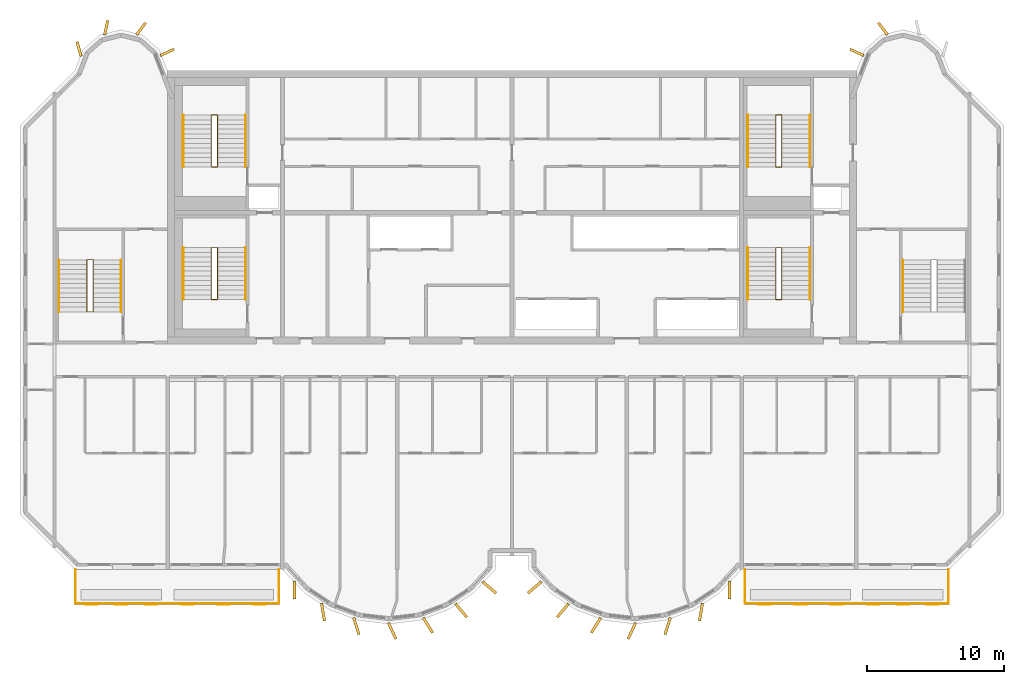
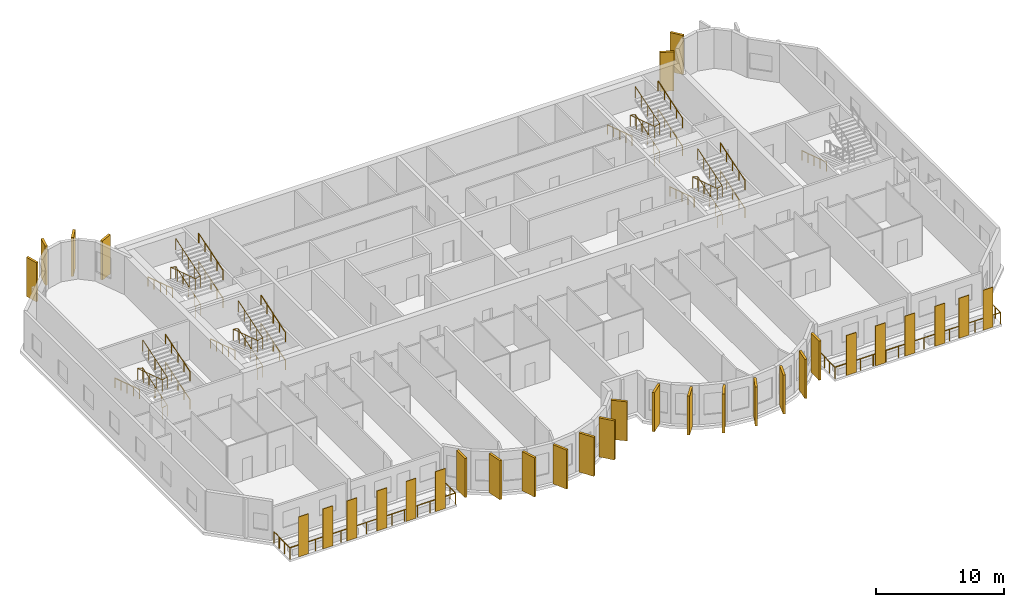
# One storey, part 10 of 12: 32 coverings, 23 railings.
"""IFC4 building model written with IfcOpenShell, lengths in metres."""

import ifcopenshell
import ifcopenshell.guid

model = None  # the IFC model being written
_history = None  # IfcOwnerHistory: only IFC2X3 demands one
_inside = {}  # id of a spatial element -> (the spatial element, [elements in it])
_under = {}  # id of a project, library or spatial element -> (it, [spatial elements below it])
_declared = {}  # id of a project -> (the project, [libraries it declares])
_typed = {}  # id of a type object -> (the type object, [elements of that type])
_made_of = {}  # id of a material, layer set ... -> (it, [elements and type objects made of it])


def new_model(schema):
    """Start an empty IFC model of exactly this schema.

    Asked for "IFC4X3", IfcOpenShell would pick the latest addendum, in which some entities
    have other attributes; the version numbers below select the first issue.
    IFC2X3 requires an IfcOwnerHistory on every rooted entity: one is made here for all.
    """
    global model, _history
    if schema == "IFC4X3":
        model = ifcopenshell.file(schema_version=(4, 3, 0, 0))
    else:
        model = ifcopenshell.file(schema=schema)
    _inside.clear()
    _under.clear()
    _declared.clear()
    _typed.clear()
    _made_of.clear()
    _history = None
    if model.schema == "IFC2X3":
        org = make("IfcOrganization", Name="unknown")
        user = make(
            "IfcPersonAndOrganization",
            ThePerson=make("IfcPerson", FamilyName="unknown"),
            TheOrganization=org,
        )
        app = make(
            "IfcApplication",
            ApplicationDeveloper=org,
            Version="unknown",
            ApplicationFullName="unknown",
            ApplicationIdentifier="unknown",
        )
        _history = make(
            "IfcOwnerHistory",
            OwningUser=user,
            OwningApplication=app,
            ChangeAction="ADDED",
            CreationDate=0,
        )
    return model


def make(cls, **values):
    """One entity of the class cls with the attributes given. An attribute that is None is left unset."""
    return model.create_entity(
        cls, **{name: value for name, value in values.items() if value is not None}
    )


def rooted(cls, **values):
    """An entity with a GlobalId (a new one), such as an element, a storey or a relation."""
    return make(cls, GlobalId=ifcopenshell.guid.new(), OwnerHistory=_history, **values)


def si_unit(unit_type, name, prefix=None):
    """IfcSIUnit, for example si_unit("LENGTHUNIT", "METRE", prefix="MILLI")."""
    return make("IfcSIUnit", UnitType=unit_type, Prefix=prefix, Name=name)


def assignment(units):
    """IfcUnitAssignment: the units of a project."""
    return None if units is None else make("IfcUnitAssignment", Units=units)


def point(xyz):
    """IfcCartesianPoint."""
    return None if xyz is None else make("IfcCartesianPoint", Coordinates=xyz)


def direction(xyz):
    """IfcDirection."""
    return None if xyz is None else make("IfcDirection", DirectionRatios=xyz)


def frame(location, z_axis=None, x_axis=None):
    """IfcAxis2Placement3D, a coordinate frame: its origin and axes. An axis left out is left unset."""
    return make(
        "IfcAxis2Placement3D",
        Location=point(location),
        Axis=direction(z_axis),
        RefDirection=direction(x_axis),
    )


def frame_2d(location, x_axis=None):
    """IfcAxis2Placement2D, a coordinate frame in the plane: its origin and x axis."""
    return make(
        "IfcAxis2Placement2D", Location=point(location), RefDirection=direction(x_axis)
    )


def origin():
    """The frame at (0, 0, 0) with its axes left unset."""
    return frame((0.0, 0.0, 0.0))


def origin_2d():
    """The frame at (0, 0) in the plane with its x axis left unset."""
    return frame_2d((0.0, 0.0))


def place(relative_to, where):
    """IfcLocalPlacement: puts the frame where relative to a parent placement (None: the world)."""
    return make(
        "IfcLocalPlacement", PlacementRelTo=relative_to, RelativePlacement=where
    )


def context(
    kind, dimensions, precision=None, world=None, true_north=None, identifier=None
):
    """IfcGeometricRepresentationContext, for example the 3D "Model" context."""
    return make(
        "IfcGeometricRepresentationContext",
        ContextIdentifier=identifier,
        ContextType=kind,
        CoordinateSpaceDimension=dimensions,
        Precision=precision,
        WorldCoordinateSystem=world,
        TrueNorth=true_north,
    )


def subcontext(parent, identifier, kind, view, scale=None):
    """IfcGeometricRepresentationSubContext, for example "Body" below "Model"."""
    return make(
        "IfcGeometricRepresentationSubContext",
        ContextIdentifier=identifier,
        ContextType=kind,
        ParentContext=parent,
        TargetScale=scale,
        TargetView=view,
    )


def project(units=None, contexts=None):
    """IfcProject with its units and contexts."""
    return rooted(
        "IfcProject",
        Name="project",
        RepresentationContexts=contexts,
        UnitsInContext=assignment(units),
    )


def spatial(cls, under=None, at=None, **own):
    """A site, building, storey or space (cls), placed at a placement, below another one or the project."""
    s = rooted(cls, ObjectPlacement=at, **own)
    if under is not None:
        _under.setdefault(under.id(), (under, []))[1].append(s)
    return s


def profile(cls, at=None, kind="AREA", **sizes):
    """A parametric profile (cls). Its sizes go by their IFC names, for example OverallWidth=200.0."""
    return make(cls, ProfileType=kind, Position=at, **sizes)


def rectangle(**sizes):
    """IfcRectangleProfileDef."""
    return profile("IfcRectangleProfileDef", **sizes)


def circle(**sizes):
    """IfcCircleProfileDef."""
    return profile("IfcCircleProfileDef", **sizes)


def extrude(swept, where, along, depth):
    """IfcExtrudedAreaSolid: the profile swept, set in the frame where, extruded along a direction by depth."""
    return make(
        "IfcExtrudedAreaSolid",
        SweptArea=swept,
        Position=where,
        ExtrudedDirection=direction(along),
        Depth=depth,
    )


def shape(context_of_items, identifier, shape_type, items):
    """IfcShapeRepresentation: the items that make up one representation, for example the "Body"."""
    return make(
        "IfcShapeRepresentation",
        ContextOfItems=context_of_items,
        RepresentationIdentifier=identifier,
        RepresentationType=shape_type,
        Items=items,
    )


def source(mapping_origin, context_of_items, identifier, shape_type, items):
    """IfcRepresentationMap: a shape defined once, which mapped items show again and again."""
    return make(
        "IfcRepresentationMap",
        MappingOrigin=mapping_origin,
        MappedRepresentation=shape(context_of_items, identifier, shape_type, items),
    )


def transform(
    local_origin,
    x_axis=None,
    y_axis=None,
    z_axis=None,
    scale=None,
    scale2=None,
    scale3=None,
    uniform=True,
):
    """IfcCartesianTransformationOperator3D, or its non-uniform kind. x_axis, y_axis, z_axis: its Axis1, 2, 3."""
    if uniform:
        return make(
            "IfcCartesianTransformationOperator3D",
            Axis1=direction(x_axis),
            Axis2=direction(y_axis),
            LocalOrigin=point(local_origin),
            Scale=scale,
            Axis3=direction(z_axis),
        )
    return make(
        "IfcCartesianTransformationOperator3DnonUniform",
        Axis1=direction(x_axis),
        Axis2=direction(y_axis),
        LocalOrigin=point(local_origin),
        Scale=scale,
        Axis3=direction(z_axis),
        Scale2=scale2,
        Scale3=scale3,
    )


def mapped(mapping_source, mapping_target):
    """IfcMappedItem: shows the shape of a source again, moved by a transform."""
    return make(
        "IfcMappedItem", MappingSource=mapping_source, MappingTarget=mapping_target
    )


def material(Name=None, Category=None):
    """IfcMaterial."""
    return make("IfcMaterial", Name=Name, Category=Category)


def layer(
    of_material, thickness, ventilated=None, Name=None, Category=None, Priority=None
):
    """IfcMaterialLayer: one layer of a wall or slab, of a material (None: an air gap)."""
    return make(
        "IfcMaterialLayer",
        Material=of_material,
        LayerThickness=thickness,
        IsVentilated=ventilated,
        Name=Name,
        Category=Category,
        Priority=Priority,
    )


def layer_set(layers, Name=None):
    """IfcMaterialLayerSet."""
    return make("IfcMaterialLayerSet", MaterialLayers=layers, LayerSetName=Name)


def material_profile(
    of_material, cross_section, Name=None, Category=None, Priority=None
):
    """IfcMaterialProfile: a cross section and its material."""
    return make(
        "IfcMaterialProfile",
        Name=Name,
        Material=of_material,
        Profile=cross_section,
        Priority=Priority,
        Category=Category,
    )


def profile_set(profiles, Name=None, composite=None):
    """IfcMaterialProfileSet."""
    return make(
        "IfcMaterialProfileSet",
        Name=Name,
        MaterialProfiles=profiles,
        CompositeProfile=composite,
    )


def made_of(thing, what):
    """Note that an element or type object is made of a material, layer set ...; save() writes the relation."""
    if what is not None:
        _made_of.setdefault(what.id(), (what, []))[1].append(thing)
    return thing


def type_object(cls, material=None, **own):
    """A type object (cls), such as IfcWallType, which elements share."""
    return made_of(rooted(cls, **own), material)


def element(
    cls,
    number,
    at=None,
    inside=None,
    cuts=None,
    type_object=None,
    material=None,
    context=None,
    identifier="Body",
    shape_type=None,
    held_by="IfcProductDefinitionShape",
    body=None,
    shapes=None,
    **own,
):
    """One element of the class cls, such as IfcWall. Its Tag is "e" and its number.

    at: its placement. inside: the storey or other place that contains it. cuts: it is an
    opening in that element (IfcRelVoidsElement). A single representation is given by context,
    identifier, shape_type and body (its items); several are given by shapes. held_by: the class
    of the entity that holds the representations. save() writes the other relations.
    """
    e = rooted(cls, Tag="e%d" % number, ObjectPlacement=at, **own)
    if body is not None:
        shapes = [shape(context, identifier, shape_type, body)]
    if shapes is not None:
        e.Representation = make(held_by, Representations=shapes)
    if inside is not None:
        _inside.setdefault(inside.id(), (inside, []))[1].append(e)
    if cuts is not None:
        rooted(
            "IfcRelVoidsElement", RelatingBuildingElement=cuts, RelatedOpeningElement=e
        )
    if type_object is not None:
        _typed.setdefault(type_object.id(), (type_object, []))[1].append(e)
    return made_of(e, material)


def aggregate(whole, parts):
    """IfcRelAggregates: a whole, such as a stair, and the parts it consists of."""
    return rooted("IfcRelAggregates", RelatingObject=whole, RelatedObjects=parts)


def save(model, path):
    """Write the relations noted so far, then the file.

    IfcRelAggregates (storeys below a building ...), IfcRelContainedInSpatialStructure (elements
    in a storey), IfcRelDefinesByType, IfcRelAssociatesMaterial and IfcRelDeclares: one each for
    every whole, place, type object, material and project.
    """
    for whole, parts in _under.values():
        aggregate(whole, parts)
    for where, things in _inside.values():
        rooted(
            "IfcRelContainedInSpatialStructure",
            RelatedElements=things,
            RelatingStructure=where,
        )
    for kind, things in _typed.values():
        rooted("IfcRelDefinesByType", RelatedObjects=things, RelatingType=kind)
    for what, things in _made_of.values():
        rooted("IfcRelAssociatesMaterial", RelatedObjects=things, RelatingMaterial=what)
    for by, libraries in _declared.values():
        rooted("IfcRelDeclares", RelatingContext=by, RelatedDefinitions=libraries)
    model.write(path)


model = new_model("IFC4")

# Units and contexts
model_context = context("Model", 3, precision=1e-05, world=origin(), true_north=direction((0.0, 1.0)))
body_context = subcontext(model_context, "Body", "Model", "MODEL_VIEW")
ifc_project = project(units=[si_unit("LENGTHUNIT", "METRE"), si_unit("AREAUNIT", "SQUARE_METRE"), si_unit("VOLUMEUNIT", "CUBIC_METRE"), si_unit("PLANEANGLEUNIT", "RADIAN"), si_unit("MASSUNIT", "GRAM", prefix="KILO")], contexts=[model_context])

# Site, building, storey
site_placement = place(None, origin())
site = spatial("IfcSite", under=ifc_project, at=site_placement, CompositionType="ELEMENT")
building_placement = place(site_placement, origin())
building = spatial("IfcBuilding", under=site, at=building_placement, Name="Vanashikhar Sky Hotel", CompositionType="ELEMENT")
storey_placement = place(building_placement, frame((0.0, 0.0, 297.699951171875)))
storey = spatial("IfcBuildingStorey", under=building, at=storey_placement, Name="L71", CompositionType="ELEMENT", Elevation=297.699951171875)

# Railings
ifc_material_1 = material(Name="Stainless steel 316", Category="steel")
railing_type_1 = type_object("IfcRailingType", Name="Balcony guard 1100", PredefinedType="GUARDRAIL", material=ifc_material_1)
shared_shape_1 = source(origin(), body_context, "Body", "SweptSolid", [
    extrude(circle(Radius=0.02392578125, at=origin_2d()), frame((0.0, 0.0, 1.076171875), z_axis=(0.0, -1.0, 0.0), x_axis=(1.0, 0.0, 0.0)), (0.0, 0.0, 1.0), 2.5),
    extrude(circle(Radius=0.02392578125, at=origin_2d()), frame((0.0, -2.5, 1.076171875), z_axis=(1.0, 0.0, 0.0), x_axis=(0.0, 1.0, 0.0)), (0.0, 0.0, 1.0), 14.880126953125),
    extrude(circle(Radius=0.02392578125, at=origin_2d()), frame((14.880126953125, -2.5, 1.076171875), z_axis=(0.0, 1.0, 0.0), x_axis=(-1.0, 0.0, 0.0)), (0.0, 0.0, 1.0), 2.5),
    extrude(circle(Radius=0.02099609375, at=origin_2d()), origin(), (0.0, 0.0, 1.0), 1.052001953125),
    extrude(circle(Radius=0.02099609375, at=origin_2d()), frame((0.0, -0.833251953125, 0.0)), (0.0, 0.0, 1.0), 1.052001953125),
    extrude(circle(Radius=0.02099609375, at=origin_2d()), frame((0.0, -1.666748046875, 0.0)), (0.0, 0.0, 1.0), 1.052001953125),
    extrude(circle(Radius=0.02099609375, at=origin_2d()), frame((0.0, -2.5, 0.0)), (0.0, 0.0, 1.0), 1.052001953125),
    extrude(circle(Radius=0.02099609375, at=origin_2d()), frame((1.14453125, -2.5, 0.0)), (0.0, 0.0, 1.0), 1.052001953125),
    extrude(circle(Radius=0.02099609375, at=origin_2d()), frame((2.289306640625, -2.5, 0.0)), (0.0, 0.0, 1.0), 1.052001953125),
    extrude(circle(Radius=0.02099609375, at=origin_2d()), frame((3.433837890625, -2.5, 0.0)), (0.0, 0.0, 1.0), 1.052001953125),
    extrude(circle(Radius=0.02099609375, at=origin_2d()), frame((4.57861328125, -2.5, 0.0)), (0.0, 0.0, 1.0), 1.052001953125),
    extrude(circle(Radius=0.02099609375, at=origin_2d()), frame((5.72314453125, -2.5, 0.0)), (0.0, 0.0, 1.0), 1.052001953125),
    extrude(circle(Radius=0.02099609375, at=origin_2d()), frame((6.86767578125, -2.5, 0.0)), (0.0, 0.0, 1.0), 1.052001953125),
    extrude(circle(Radius=0.02099609375, at=origin_2d()), frame((8.012451171875, -2.5, 0.0)), (0.0, 0.0, 1.0), 1.052001953125),
    extrude(circle(Radius=0.02099609375, at=origin_2d()), frame((9.156982421875, -2.5, 0.0)), (0.0, 0.0, 1.0), 1.052001953125),
    extrude(circle(Radius=0.02099609375, at=origin_2d()), frame((10.301513671875, -2.5, 0.0)), (0.0, 0.0, 1.0), 1.052001953125),
    extrude(circle(Radius=0.02099609375, at=origin_2d()), frame((11.4462890625, -2.5, 0.0)), (0.0, 0.0, 1.0), 1.052001953125),
    extrude(circle(Radius=0.02099609375, at=origin_2d()), frame((12.5908203125, -2.5, 0.0)), (0.0, 0.0, 1.0), 1.052001953125),
    extrude(circle(Radius=0.02099609375, at=origin_2d()), frame((13.735595703125, -2.5, 0.0)), (0.0, 0.0, 1.0), 1.052001953125),
    extrude(circle(Radius=0.02099609375, at=origin_2d()), frame((14.880126953125, -2.5, 0.0)), (0.0, 0.0, 1.0), 1.052001953125),
    extrude(circle(Radius=0.02099609375, at=origin_2d()), frame((14.880126953125, -1.666748046875, 0.0)), (0.0, 0.0, 1.0), 1.052001953125),
    extrude(circle(Radius=0.02099609375, at=origin_2d()), frame((14.880126953125, -0.833251953125, 0.0)), (0.0, 0.0, 1.0), 1.052001953125),
    extrude(circle(Radius=0.02099609375, at=origin_2d()), frame((14.880126953125, 0.0, 0.0)), (0.0, 0.0, 1.0), 1.052001953125),
])
for number, where, name in (
    (1, (18.4599609375, 5.5, -0.050048828125), "Balcony guard"),
    (2, (67.4599609375, 5.5, -0.050048828125), "Balcony guard"),
):
    element("IfcRailing", number, at=place(storey_placement, frame(where)), inside=storey, type_object=railing_type_1, Name=name, PredefinedType="GUARDRAIL", context=body_context, shape_type="MappedRepresentation", body=[
        mapped(shared_shape_1, transform((0.0, 0.0, 0.0), scale=1.0)),
    ])

# Coverings
ifc_material_2 = material(Name="Terracotta", Category="masonry")
ifc_layer = layer(ifc_material_2, 0.06005859375)
ifc_layer_set = layer_set([ifc_layer], Name="Terracotta baguette screen")
covering_type_1 = type_object("IfcCoveringType", Name="Terracotta baguette screen", PredefinedType="CLADDING", material=ifc_layer_set)
shared_shape_2 = source(origin(), body_context, "Body", "SweptSolid", [
    extrude(rectangle(XDim=0.89990234375, YDim=0.06005859375, at=origin_2d()), origin(), (0.0, 0.0, 1.0), 3.800048828125),
])
for number, where, z_axis, x_axis, name in (
    (3, (19.63330078125, 2.929931640625, -0.0498046875), (0.0, 0.0, 1.0), (1.0, 0.0, 0.0), "Terracotta screen"),
    (4, (21.800048828125, 2.929931640625, -0.0498046875), (0.0, 0.0, 1.0), (1.0, 0.0, 0.0), "Terracotta screen"),
    (5, (23.966796875, 2.929931640625, -0.0498046875), (0.0, 0.0, 1.0), (1.0, 0.0, 0.0), "Terracotta screen"),
    (6, (26.666748046875, 2.929931640625, -0.0498046875), (0.0, 0.0, 1.0), (1.0, 0.0, 0.0), "Terracotta screen"),
    (7, (29.300048828125, 2.929931640625, -0.0498046875), (0.0, 0.0, 1.0), (1.0, 0.0, 0.0), "Terracotta screen"),
    (8, (31.933349609375, 2.929931640625, -0.0498046875), (0.0, 0.0, 1.0), (1.0, 0.0, 0.0), "Terracotta screen"),
    (9, (68.86669921875, 2.929931640625, -0.0498046875), (0.0, 0.0, 1.0), (1.0, 0.0, 0.0), "Terracotta screen"),
    (10, (71.5, 2.929931640625, -0.0498046875), (0.0, 0.0, 1.0), (1.0, 0.0, 0.0), "Terracotta screen"),
    (11, (74.13330078125, 2.929931640625, -0.0498046875), (0.0, 0.0, 1.0), (1.0, 0.0, 0.0), "Terracotta screen"),
    (12, (76.833251953125, 2.929931640625, -0.0498046875), (0.0, 0.0, 1.0), (1.0, 0.0, 0.0), "Terracotta screen"),
    (13, (79.0, 2.929931640625, -0.0498046875), (0.0, 0.0, 1.0), (1.0, 0.0, 0.0), "Terracotta screen"),
    (14, (81.166748046875, 2.929931640625, -0.0498046875), (0.0, 0.0, 1.0), (1.0, 0.0, 0.0), "Terracotta screen"),
):
    element("IfcCovering", number, at=place(storey_placement, frame(where, z_axis=z_axis, x_axis=x_axis)), inside=storey, type_object=covering_type_1, Name=name, PredefinedType="CLADDING", context=body_context, shape_type="MappedRepresentation", body=[
        mapped(shared_shape_2, transform((0.0, 0.0, 0.0), scale=1.0)),
    ])
ifc_material_3 = material(Name="Concrete M60 dark", Category="concrete")
ifc_material_profile_1 = material_profile(ifc_material_3, rectangle(XDim=1.300048828125, YDim=0.199951171875, at=origin_2d()))
ifc_profile_set_1 = profile_set([ifc_material_profile_1], Name="Fin 1300 x 200")
covering_type_2 = type_object("IfcCoveringType", Name="Fin 1300 x 200", PredefinedType="CLADDING", material=ifc_profile_set_1)
shared_shape_3 = source(origin(), body_context, "Body", "SweptSolid", [
    extrude(rectangle(XDim=1.300048828125, YDim=0.199951171875, at=origin_2d()), origin(), (0.0, 0.0, 1.0), 3.719970703125),
])
for number, where, z_axis, x_axis, name in (
    (15, (34.482421875, 3.992919921875, 0.0), (0.0, 0.0, 1.0), (0.011588726826, -0.999932848451, 0.0), "Fin F1-1"),
    (16, (36.572509765625, 2.3779296875, 0.0), (0.0, 0.0, 1.0), (0.16989991575, -0.985461322746, 0.0), "Fin F1-2"),
    (17, (39.00830078125, 1.35693359375, 0.0), (0.0, 0.0, 1.0), (0.303966551867, -0.952682704444, 0.0), "Fin F1-3"),
    (18, (41.63232421875, 1.00146484375, 0.0), (0.0, 0.0, 1.0), (0.422618261741, -0.906307787037, 0.0), "Fin F1-4"),
    (19, (44.251953125, 1.416015625, 0.0), (0.0, 0.0, 1.0), (0.534411358496, -0.845224526331, 0.0), "Fin F1-5"),
    (20, (46.676025390625, 2.5, 0.0), (0.0, 0.0, 1.0), (0.645697609467, -0.763593214433, 0.0), "Fin F1-6"),
    (21, (48.7412109375, 4.1845703125, 0.0), (0.0, 0.0, 1.0), (0.758543912032, -0.65162192529, 0.0), "Fin F1-7"),
    (22, (52.058837890625, 4.1845703125, 0.0), (0.0, 0.0, 1.0), (-0.758543912032, -0.65162192529, 0.0), "Fin F2-1"),
    (23, (54.123779296875, 2.5, 0.0), (0.0, 0.0, 1.0), (-0.645697609467, -0.763593214433, 0.0), "Fin F2-2"),
    (24, (56.547119140625, 1.416015625, 0.0), (0.0, 0.0, 1.0), (-0.534411358496, -0.845224526331, 0.0), "Fin F2-3"),
    (25, (59.16748046875, 1.00146484375, 0.0), (0.0, 0.0, 1.0), (-0.422618261741, -0.906307787037, 0.0), "Fin F2-4"),
    (26, (61.790771484375, 1.35693359375, 0.0), (0.0, 0.0, 1.0), (-0.303966551867, -0.952682704444, 0.0), "Fin F2-5"),
    (27, (64.2275390625, 2.3779296875, 0.0), (0.0, 0.0, 1.0), (-0.16989991575, -0.985461322746, 0.0), "Fin F2-6"),
    (28, (66.317626953125, 3.992919921875, 0.0), (0.0, 0.0, 1.0), (-0.011588726826, -0.999932848451, 0.0), "Fin F2-7"),
):
    element("IfcCovering", number, at=place(storey_placement, frame(where, z_axis=z_axis, x_axis=x_axis)), inside=storey, type_object=covering_type_2, Name=name, PredefinedType="CLADDING", context=body_context, shape_type="MappedRepresentation", body=[
        mapped(shared_shape_3, transform((0.0, 0.0, 0.0), scale=1.0)),
    ])
ifc_material_profile_2 = material_profile(ifc_material_3, rectangle(XDim=1.10009765625, YDim=0.199951171875, at=origin_2d()))
ifc_profile_set_2 = profile_set([ifc_material_profile_2], Name="Rear lobe fin 1100 x 200")
covering_type_3 = type_object("IfcCoveringType", Name="Rear lobe fin 1100 x 200", PredefinedType="CLADDING", material=ifc_profile_set_2)
shared_shape_4 = source(origin(), body_context, "Body", "SweptSolid", [
    extrude(rectangle(XDim=1.10009765625, YDim=0.199951171875, at=origin_2d()), origin(), (0.0, 0.0, 1.0), 3.719970703125),
])
for number, where, z_axis, x_axis, name in (
    (29, (18.720703125, 43.580078125, 0.0), (0.0, 0.0, 1.0), (-0.262711264409, 0.964874495234, 0.0), "Fin R1-1"),
    (30, (20.710205078125, 45.1455078125, 0.0), (0.0, 0.0, 1.0), (0.224644935864, 0.974440687159, 0.0), "Fin R1-2"),
    (31, (23.261962890625, 45.06640625, 0.0), (0.0, 0.0, 1.0), (0.602065892195, 0.798446404874, 0.0), "Fin R1-3"),
    (32, (25.169677734375, 43.33447265625, 0.0), (0.0, 0.0, 1.0), (0.908004291068, 0.418960866193, 0.0), "Fin R1-4"),
    (33, (75.63037109375, 43.33447265625, 0.0), (0.0, 0.0, 1.0), (-0.908004291068, 0.418960866193, 0.0), "Fin R2-1"),
    (34, (77.5380859375, 45.06640625, 0.0), (0.0, 0.0, 1.0), (-0.602065892195, 0.798446404874, 0.0), "Fin R2-2"),
):
    element("IfcCovering", number, at=place(storey_placement, frame(where, z_axis=z_axis, x_axis=x_axis)), inside=storey, type_object=covering_type_3, Name=name, PredefinedType="CLADDING", context=body_context, shape_type="MappedRepresentation", body=[
        mapped(shared_shape_4, transform((0.0, 0.0, 0.0), scale=1.0)),
    ])

# Railings
ifc_material_4 = material(Name="Steel S355", Category="steel")
railing_type_2 = type_object("IfcRailingType", Name="Stair handrail 900", PredefinedType="HANDRAIL", material=ifc_material_4)
shared_shape_5 = source(origin(), body_context, "Body", "SweptSolid", [
    extrude(circle(Radius=0.02392578125, at=origin_2d()), frame((0.0, 0.0, 0.8759765625), z_axis=(0.0, 0.95197572919, 0.306173498254), x_axis=(-1.0, 0.0, 0.0)), (0.0, 0.0, 1.0), 3.99169921875),
    extrude(circle(Radius=0.02099609375, at=origin_2d()), origin(), (0.0, 0.0, 1.0), 0.851806640625),
    extrude(circle(Radius=0.02099609375, at=origin_2d()), frame((0.0, 0.949951171875, 0.3056640625)), (0.0, 0.0, 1.0), 0.851806640625),
    extrude(circle(Radius=0.02099609375, at=origin_2d()), frame((0.0, 1.89990234375, 0.611083984375)), (0.0, 0.0, 1.0), 0.851806640625),
    extrude(circle(Radius=0.02099609375, at=origin_2d()), frame((0.0, 2.85009765625, 0.91650390625)), (0.0, 0.0, 1.0), 0.851806640625),
    extrude(circle(Radius=0.02099609375, at=origin_2d()), frame((0.0, 3.800048828125, 1.22216796875)), (0.0, 0.0, 1.0), 0.851806640625),
])
for number, where, name in (
    (35, (30.89990234375, 25.25, 2.77783203125), "Exit stair 1 handrail"),
    (36, (72.199951171875, 25.25, 2.77783203125), "Exit stair 2 handrail"),
    (37, (30.89990234375, 34.949951171875, 2.77783203125), "Exit stair 5 handrail"),
    (38, (72.199951171875, 34.949951171875, 2.77783203125), "Exit stair 6 handrail"),
):
    element("IfcRailing", number, at=place(storey_placement, frame(where)), inside=storey, type_object=railing_type_2, Name=name, PredefinedType="HANDRAIL", context=body_context, shape_type="MappedRepresentation", body=[
        mapped(shared_shape_5, transform((0.0, 0.0, 0.0), scale=1.0)),
    ])
shared_shape_6 = source(origin(), body_context, "Body", "SweptSolid", [
    extrude(circle(Radius=0.02392578125, at=origin_2d()), frame((0.0, 0.0, 0.8759765625), z_axis=(0.0, -0.95197572919, 0.306173498254), x_axis=(1.0, 0.0, 0.0)), (0.0, 0.0, 1.0), 3.99169921875),
    extrude(circle(Radius=0.02099609375, at=origin_2d()), origin(), (0.0, 0.0, 1.0), 0.851806640625),
    extrude(circle(Radius=0.02099609375, at=origin_2d()), frame((0.0, -0.949951171875, 0.3056640625)), (0.0, 0.0, 1.0), 0.851806640625),
    extrude(circle(Radius=0.02099609375, at=origin_2d()), frame((0.0, -1.89990234375, 0.611083984375)), (0.0, 0.0, 1.0), 0.851806640625),
    extrude(circle(Radius=0.02099609375, at=origin_2d()), frame((0.0, -2.85009765625, 0.91650390625)), (0.0, 0.0, 1.0), 0.851806640625),
    extrude(circle(Radius=0.02099609375, at=origin_2d()), frame((0.0, -3.800048828125, 1.22216796875)), (0.0, 0.0, 1.0), 0.851806640625),
])
for number, where, name in (
    (39, (26.35009765625, 29.050048828125, 1.444580078125), "Exit stair 1 handrail"),
    (40, (67.64990234375, 29.050048828125, 1.444580078125), "Exit stair 2 handrail"),
    (41, (26.35009765625, 38.75, 1.444580078125), "Exit stair 5 handrail"),
    (42, (67.64990234375, 38.75, 1.444580078125), "Exit stair 6 handrail"),
):
    element("IfcRailing", number, at=place(storey_placement, frame(where)), inside=storey, type_object=railing_type_2, Name=name, PredefinedType="HANDRAIL", context=body_context, shape_type="MappedRepresentation", body=[
        mapped(shared_shape_6, transform((0.0, 0.0, 0.0), scale=1.0)),
    ])
railing_type_3 = type_object("IfcRailingType", Name="Stair guard 1100", PredefinedType="GUARDRAIL", material=ifc_material_4)
shared_shape_7 = source(origin(), body_context, "Body", "SweptSolid", [
    extrude(circle(Radius=0.02392578125, at=origin_2d()), frame((0.0, 0.0, 1.076171875), z_axis=(0.970881249867, 0.0, 0.239561262847), x_axis=(0.0, 1.0, 0.0)), (0.0, 0.0, 1.0), 0.463623046875),
    extrude(circle(Radius=0.02392578125, at=origin_2d()), frame((0.4501953125, 0.0, 1.18701171875), z_axis=(0.0, 0.95195790124, 0.306228924607), x_axis=(-1.0, 0.0, 0.0)), (0.0, 0.0, 1.0), 3.991943359375),
    extrude(circle(Radius=0.02392578125, at=origin_2d()), frame((0.4501953125, 3.800048828125, 2.40966796875), z_axis=(-0.970881249867, 0.0, 0.239561262847), x_axis=(0.0, -1.0, 0.0)), (0.0, 0.0, 1.0), 0.463623046875),
    extrude(circle(Radius=0.02392578125, at=origin_2d()), frame((0.0, 3.800048828125, 2.5205078125), z_axis=(0.0, -0.95197572919, 0.306173498254), x_axis=(1.0, 0.0, 0.0)), (0.0, 0.0, 1.0), 3.99169921875),
    extrude(circle(Radius=0.02392578125, at=origin_2d()), frame((0.0, 0.0, 3.74267578125), z_axis=(0.970881249867, 0.0, 0.239561262847), x_axis=(0.0, 1.0, 0.0)), (0.0, 0.0, 1.0), 0.463623046875),
    extrude(circle(Radius=0.02392578125, at=origin_2d()), frame((0.4501953125, 0.0, 3.85400390625), z_axis=(0.0, 0.95197572919, 0.306173498254), x_axis=(-1.0, 0.0, 0.0)), (0.0, 0.0, 1.0), 3.99169921875),
    extrude(circle(Radius=0.02099609375, at=origin_2d()), origin(), (0.0, 0.0, 1.0), 1.052001953125),
    extrude(circle(Radius=0.02099609375, at=origin_2d()), frame((0.4501953125, 0.0, 0.111083984375)), (0.0, 0.0, 1.0), 1.052001953125),
    extrude(circle(Radius=0.02099609375, at=origin_2d()), frame((0.4501953125, 0.949951171875, 0.416748046875)), (0.0, 0.0, 1.0), 1.052001953125),
    extrude(circle(Radius=0.02099609375, at=origin_2d()), frame((0.4501953125, 1.89990234375, 0.72216796875)), (0.0, 0.0, 1.0), 1.052001953125),
    extrude(circle(Radius=0.02099609375, at=origin_2d()), frame((0.4501953125, 2.85009765625, 1.02783203125)), (0.0, 0.0, 1.0), 1.052001953125),
    extrude(circle(Radius=0.02099609375, at=origin_2d()), frame((0.4501953125, 3.800048828125, 1.33349609375)), (0.0, 0.0, 1.0), 1.052001953125),
    extrude(circle(Radius=0.02099609375, at=origin_2d()), frame((0.0, 3.800048828125, 1.444580078125)), (0.0, 0.0, 1.0), 1.052001953125),
    extrude(circle(Radius=0.02099609375, at=origin_2d()), frame((0.0, 2.85009765625, 1.75)), (0.0, 0.0, 1.0), 1.052001953125),
    extrude(circle(Radius=0.02099609375, at=origin_2d()), frame((0.0, 1.89990234375, 2.0556640625)), (0.0, 0.0, 1.0), 1.052001953125),
    extrude(circle(Radius=0.02099609375, at=origin_2d()), frame((0.0, 0.949951171875, 2.361328125)), (0.0, 0.0, 1.0), 1.052001953125),
    extrude(circle(Radius=0.02099609375, at=origin_2d()), frame((0.0, 0.0, 2.666748046875)), (0.0, 0.0, 1.0), 1.052001953125),
    extrude(circle(Radius=0.02099609375, at=origin_2d()), frame((0.4501953125, 0.0, 2.77783203125)), (0.0, 0.0, 1.0), 1.052001953125),
    extrude(circle(Radius=0.02099609375, at=origin_2d()), frame((0.4501953125, 0.949951171875, 3.08349609375)), (0.0, 0.0, 1.0), 1.052001953125),
    extrude(circle(Radius=0.02099609375, at=origin_2d()), frame((0.4501953125, 1.89990234375, 3.388916015625)), (0.0, 0.0, 1.0), 1.052001953125),
    extrude(circle(Radius=0.02099609375, at=origin_2d()), frame((0.4501953125, 2.85009765625, 3.6943359375)), (0.0, 0.0, 1.0), 1.052001953125),
    extrude(circle(Radius=0.02099609375, at=origin_2d()), frame((0.4501953125, 3.800048828125, 4.0)), (0.0, 0.0, 1.0), 1.052001953125),
])
for number, where, name in (
    (43, (28.39990234375, 25.25, 0.0), "Exit stair 1 guard"),
    (44, (28.39990234375, 34.949951171875, 0.0), "Exit stair 5 guard"),
):
    element("IfcRailing", number, at=place(storey_placement, frame(where)), inside=storey, type_object=railing_type_3, Name=name, PredefinedType="GUARDRAIL", context=body_context, shape_type="MappedRepresentation", body=[
        mapped(shared_shape_7, transform((0.0, 0.0, 0.0), scale=1.0)),
    ])
shared_shape_8 = source(origin(), body_context, "Body", "SweptSolid", [
    extrude(circle(Radius=0.02392578125, at=origin_2d()), frame((0.0, 0.0, 0.8759765625), z_axis=(0.0, 0.95195790124, 0.306228924607), x_axis=(-1.0, 0.0, 0.0)), (0.0, 0.0, 1.0), 3.991943359375),
    extrude(circle(Radius=0.02099609375, at=origin_2d()), origin(), (0.0, 0.0, 1.0), 0.851806640625),
    extrude(circle(Radius=0.02099609375, at=origin_2d()), frame((0.0, 0.949951171875, 0.3056640625)), (0.0, 0.0, 1.0), 0.851806640625),
    extrude(circle(Radius=0.02099609375, at=origin_2d()), frame((0.0, 1.89990234375, 0.611328125)), (0.0, 0.0, 1.0), 0.851806640625),
    extrude(circle(Radius=0.02099609375, at=origin_2d()), frame((0.0, 2.85009765625, 0.916748046875)), (0.0, 0.0, 1.0), 0.851806640625),
    extrude(circle(Radius=0.02099609375, at=origin_2d()), frame((0.0, 3.800048828125, 1.222412109375)), (0.0, 0.0, 1.0), 0.851806640625),
])
for number, where, name in (
    (45, (30.89990234375, 25.25, 0.111083984375), "Exit stair 1 handrail"),
    (46, (72.199951171875, 25.25, 0.111083984375), "Exit stair 2 handrail"),
    (47, (30.89990234375, 34.949951171875, 0.111083984375), "Exit stair 5 handrail"),
    (48, (72.199951171875, 34.949951171875, 0.111083984375), "Exit stair 6 handrail"),
):
    element("IfcRailing", number, at=place(storey_placement, frame(where)), inside=storey, type_object=railing_type_2, Name=name, PredefinedType="HANDRAIL", context=body_context, shape_type="MappedRepresentation", body=[
        mapped(shared_shape_8, transform((0.0, 0.0, 0.0), scale=1.0)),
    ])
shared_shape_9 = source(origin(), body_context, "Body", "SweptSolid", [
    extrude(circle(Radius=0.02392578125, at=origin_2d()), frame((0.0, 0.0, 1.076171875), z_axis=(0.970851010584, 0.0, 0.239683781777), x_axis=(0.0, 1.0, 0.0)), (0.0, 0.0, 1.0), 0.46337890625),
    extrude(circle(Radius=0.02392578125, at=origin_2d()), frame((0.449951171875, 0.0, 1.18701171875), z_axis=(0.0, 0.95195790124, 0.306228924607), x_axis=(-1.0, 0.0, 0.0)), (0.0, 0.0, 1.0), 3.991943359375),
    extrude(circle(Radius=0.02392578125, at=origin_2d()), frame((0.449951171875, 3.800048828125, 2.40966796875), z_axis=(-0.970851010584, 0.0, 0.239683781777), x_axis=(0.0, -1.0, 0.0)), (0.0, 0.0, 1.0), 0.46337890625),
    extrude(circle(Radius=0.02392578125, at=origin_2d()), frame((0.0, 3.800048828125, 2.5205078125), z_axis=(0.0, -0.95197572919, 0.306173498254), x_axis=(1.0, 0.0, 0.0)), (0.0, 0.0, 1.0), 3.99169921875),
    extrude(circle(Radius=0.02392578125, at=origin_2d()), frame((0.0, 0.0, 3.74267578125), z_axis=(0.970851010584, 0.0, 0.239683781777), x_axis=(0.0, 1.0, 0.0)), (0.0, 0.0, 1.0), 0.46337890625),
    extrude(circle(Radius=0.02392578125, at=origin_2d()), frame((0.449951171875, 0.0, 3.85400390625), z_axis=(0.0, 0.95197572919, 0.306173498254), x_axis=(-1.0, 0.0, 0.0)), (0.0, 0.0, 1.0), 3.99169921875),
    extrude(circle(Radius=0.02099609375, at=origin_2d()), origin(), (0.0, 0.0, 1.0), 1.052001953125),
    extrude(circle(Radius=0.02099609375, at=origin_2d()), frame((0.449951171875, 0.0, 0.111083984375)), (0.0, 0.0, 1.0), 1.052001953125),
    extrude(circle(Radius=0.02099609375, at=origin_2d()), frame((0.449951171875, 0.949951171875, 0.416748046875)), (0.0, 0.0, 1.0), 1.052001953125),
    extrude(circle(Radius=0.02099609375, at=origin_2d()), frame((0.449951171875, 1.89990234375, 0.72216796875)), (0.0, 0.0, 1.0), 1.052001953125),
    extrude(circle(Radius=0.02099609375, at=origin_2d()), frame((0.449951171875, 2.85009765625, 1.02783203125)), (0.0, 0.0, 1.0), 1.052001953125),
    extrude(circle(Radius=0.02099609375, at=origin_2d()), frame((0.449951171875, 3.800048828125, 1.33349609375)), (0.0, 0.0, 1.0), 1.052001953125),
    extrude(circle(Radius=0.02099609375, at=origin_2d()), frame((0.0, 3.800048828125, 1.444580078125)), (0.0, 0.0, 1.0), 1.052001953125),
    extrude(circle(Radius=0.02099609375, at=origin_2d()), frame((0.0, 2.85009765625, 1.75)), (0.0, 0.0, 1.0), 1.052001953125),
    extrude(circle(Radius=0.02099609375, at=origin_2d()), frame((0.0, 1.89990234375, 2.0556640625)), (0.0, 0.0, 1.0), 1.052001953125),
    extrude(circle(Radius=0.02099609375, at=origin_2d()), frame((0.0, 0.949951171875, 2.361328125)), (0.0, 0.0, 1.0), 1.052001953125),
    extrude(circle(Radius=0.02099609375, at=origin_2d()), frame((0.0, 0.0, 2.666748046875)), (0.0, 0.0, 1.0), 1.052001953125),
    extrude(circle(Radius=0.02099609375, at=origin_2d()), frame((0.449951171875, 0.0, 2.77783203125)), (0.0, 0.0, 1.0), 1.052001953125),
    extrude(circle(Radius=0.02099609375, at=origin_2d()), frame((0.449951171875, 0.949951171875, 3.08349609375)), (0.0, 0.0, 1.0), 1.052001953125),
    extrude(circle(Radius=0.02099609375, at=origin_2d()), frame((0.449951171875, 1.89990234375, 3.388916015625)), (0.0, 0.0, 1.0), 1.052001953125),
    extrude(circle(Radius=0.02099609375, at=origin_2d()), frame((0.449951171875, 2.85009765625, 3.6943359375)), (0.0, 0.0, 1.0), 1.052001953125),
    extrude(circle(Radius=0.02099609375, at=origin_2d()), frame((0.449951171875, 3.800048828125, 4.0)), (0.0, 0.0, 1.0), 1.052001953125),
])
for number, where, name in (
    (49, (69.699951171875, 25.25, 0.0), "Exit stair 2 guard"),
    (50, (69.699951171875, 34.949951171875, 0.0), "Exit stair 6 guard"),
):
    element("IfcRailing", number, at=place(storey_placement, frame(where)), inside=storey, type_object=railing_type_3, Name=name, PredefinedType="GUARDRAIL", context=body_context, shape_type="MappedRepresentation", body=[
        mapped(shared_shape_9, transform((0.0, 0.0, 0.0), scale=1.0)),
    ])
shared_shape_10 = source(origin(), body_context, "Body", "SweptSolid", [
    extrude(circle(Radius=0.02392578125, at=origin_2d()), frame((0.0, 0.0, 0.8759765625), z_axis=(0.0, 0.951969995293, 0.306191325908), x_axis=(-1.0, 0.0, 0.0)), (0.0, 0.0, 1.0), 3.991455078125),
    extrude(circle(Radius=0.02099609375, at=origin_2d()), origin(), (0.0, 0.0, 1.0), 0.851806640625),
    extrude(circle(Radius=0.02099609375, at=origin_2d()), frame((0.0, 0.949951171875, 0.3056640625)), (0.0, 0.0, 1.0), 0.851806640625),
    extrude(circle(Radius=0.02099609375, at=origin_2d()), frame((0.0, 1.89990234375, 0.611083984375)), (0.0, 0.0, 1.0), 0.851806640625),
    extrude(circle(Radius=0.02099609375, at=origin_2d()), frame((0.0, 2.849853515625, 0.91650390625)), (0.0, 0.0, 1.0), 0.851806640625),
    extrude(circle(Radius=0.02099609375, at=origin_2d()), frame((0.0, 3.7998046875, 1.22216796875)), (0.0, 0.0, 1.0), 0.851806640625),
])
railing_1_placement = place(storey_placement, frame((21.800048828125, 24.35009765625, 2.77783203125)))
element("IfcRailing", 51, at=railing_1_placement, inside=storey, type_object=railing_type_2, Name="Exit stair 3 handrail", PredefinedType="HANDRAIL", context=body_context, shape_type="MappedRepresentation", body=[
    mapped(shared_shape_10, transform((0.0, 0.0, 0.0), scale=1.0)),
])
shared_shape_11 = source(origin(), body_context, "Body", "SweptSolid", [
    extrude(circle(Radius=0.02392578125, at=origin_2d()), frame((0.0, 0.0, 0.8759765625), z_axis=(0.0, -0.951969995293, 0.306191325908), x_axis=(1.0, 0.0, 0.0)), (0.0, 0.0, 1.0), 3.991455078125),
    extrude(circle(Radius=0.02099609375, at=origin_2d()), origin(), (0.0, 0.0, 1.0), 0.851806640625),
    extrude(circle(Radius=0.02099609375, at=origin_2d()), frame((0.0, -0.949951171875, 0.3056640625)), (0.0, 0.0, 1.0), 0.851806640625),
    extrude(circle(Radius=0.02099609375, at=origin_2d()), frame((0.0, -1.89990234375, 0.611083984375)), (0.0, 0.0, 1.0), 0.851806640625),
    extrude(circle(Radius=0.02099609375, at=origin_2d()), frame((0.0, -2.849853515625, 0.91650390625)), (0.0, 0.0, 1.0), 0.851806640625),
    extrude(circle(Radius=0.02099609375, at=origin_2d()), frame((0.0, -3.7998046875, 1.22216796875)), (0.0, 0.0, 1.0), 0.851806640625),
])
for number, where, name in (
    (52, (17.25, 28.14990234375, 1.444580078125), "Exit stair 3 handrail"),
    (53, (79.0, 28.14990234375, 1.444580078125), "Exit stair 4 handrail"),
):
    element("IfcRailing", number, at=place(storey_placement, frame(where)), inside=storey, type_object=railing_type_2, Name=name, PredefinedType="HANDRAIL", context=body_context, shape_type="MappedRepresentation", body=[
        mapped(shared_shape_11, transform((0.0, 0.0, 0.0), scale=1.0)),
    ])
shared_shape_12 = source(origin(), body_context, "Body", "SweptSolid", [
    extrude(circle(Radius=0.02392578125, at=origin_2d()), frame((0.0, 0.0, 1.076171875), z_axis=(0.970851010584, 0.0, 0.239683781777), x_axis=(0.0, 1.0, 0.0)), (0.0, 0.0, 1.0), 0.46337890625),
    extrude(circle(Radius=0.02392578125, at=origin_2d()), frame((0.449951171875, 0.0, 1.18701171875), z_axis=(0.0, 0.951952165375, 0.306246754821), x_axis=(-1.0, 0.0, 0.0)), (0.0, 0.0, 1.0), 3.99169921875),
    extrude(circle(Radius=0.02392578125, at=origin_2d()), frame((0.449951171875, 3.7998046875, 2.40966796875), z_axis=(-0.970851010584, 0.0, 0.239683781777), x_axis=(0.0, -1.0, 0.0)), (0.0, 0.0, 1.0), 0.46337890625),
    extrude(circle(Radius=0.02392578125, at=origin_2d()), frame((0.0, 3.7998046875, 2.5205078125), z_axis=(0.0, -0.951969995293, 0.306191325908), x_axis=(1.0, 0.0, 0.0)), (0.0, 0.0, 1.0), 3.991455078125),
    extrude(circle(Radius=0.02392578125, at=origin_2d()), frame((0.0, 0.0, 3.74267578125), z_axis=(0.970851010584, 0.0, 0.239683781777), x_axis=(0.0, 1.0, 0.0)), (0.0, 0.0, 1.0), 0.46337890625),
    extrude(circle(Radius=0.02392578125, at=origin_2d()), frame((0.449951171875, 0.0, 3.85400390625), z_axis=(0.0, 0.951969995293, 0.306191325908), x_axis=(-1.0, 0.0, 0.0)), (0.0, 0.0, 1.0), 3.991455078125),
    extrude(circle(Radius=0.02099609375, at=origin_2d()), origin(), (0.0, 0.0, 1.0), 1.052001953125),
    extrude(circle(Radius=0.02099609375, at=origin_2d()), frame((0.449951171875, 0.0, 0.111083984375)), (0.0, 0.0, 1.0), 1.052001953125),
    extrude(circle(Radius=0.02099609375, at=origin_2d()), frame((0.449951171875, 0.949951171875, 0.416748046875)), (0.0, 0.0, 1.0), 1.052001953125),
    extrude(circle(Radius=0.02099609375, at=origin_2d()), frame((0.449951171875, 1.89990234375, 0.72216796875)), (0.0, 0.0, 1.0), 1.052001953125),
    extrude(circle(Radius=0.02099609375, at=origin_2d()), frame((0.449951171875, 2.849853515625, 1.02783203125)), (0.0, 0.0, 1.0), 1.052001953125),
    extrude(circle(Radius=0.02099609375, at=origin_2d()), frame((0.449951171875, 3.7998046875, 1.33349609375)), (0.0, 0.0, 1.0), 1.052001953125),
    extrude(circle(Radius=0.02099609375, at=origin_2d()), frame((0.0, 3.7998046875, 1.444580078125)), (0.0, 0.0, 1.0), 1.052001953125),
    extrude(circle(Radius=0.02099609375, at=origin_2d()), frame((0.0, 2.849853515625, 1.75)), (0.0, 0.0, 1.0), 1.052001953125),
    extrude(circle(Radius=0.02099609375, at=origin_2d()), frame((0.0, 1.89990234375, 2.0556640625)), (0.0, 0.0, 1.0), 1.052001953125),
    extrude(circle(Radius=0.02099609375, at=origin_2d()), frame((0.0, 0.949951171875, 2.361328125)), (0.0, 0.0, 1.0), 1.052001953125),
    extrude(circle(Radius=0.02099609375, at=origin_2d()), frame((0.0, 0.0, 2.666748046875)), (0.0, 0.0, 1.0), 1.052001953125),
    extrude(circle(Radius=0.02099609375, at=origin_2d()), frame((0.449951171875, 0.0, 2.77783203125)), (0.0, 0.0, 1.0), 1.052001953125),
    extrude(circle(Radius=0.02099609375, at=origin_2d()), frame((0.449951171875, 0.949951171875, 3.08349609375)), (0.0, 0.0, 1.0), 1.052001953125),
    extrude(circle(Radius=0.02099609375, at=origin_2d()), frame((0.449951171875, 1.89990234375, 3.388916015625)), (0.0, 0.0, 1.0), 1.052001953125),
    extrude(circle(Radius=0.02099609375, at=origin_2d()), frame((0.449951171875, 2.849853515625, 3.6943359375)), (0.0, 0.0, 1.0), 1.052001953125),
    extrude(circle(Radius=0.02099609375, at=origin_2d()), frame((0.449951171875, 3.7998046875, 4.0)), (0.0, 0.0, 1.0), 1.052001953125),
])
railing_2_placement = place(storey_placement, frame((19.300048828125, 24.35009765625, 0.0)))
element("IfcRailing", 54, at=railing_2_placement, inside=storey, type_object=railing_type_3, Name="Exit stair 3 guard", PredefinedType="GUARDRAIL", context=body_context, shape_type="MappedRepresentation", body=[
    mapped(shared_shape_12, transform((0.0, 0.0, 0.0), scale=1.0)),
])
shared_shape_13 = source(origin(), body_context, "Body", "SweptSolid", [
    extrude(circle(Radius=0.02392578125, at=origin_2d()), frame((0.0, 0.0, 0.8759765625), z_axis=(0.0, 0.951952165375, 0.306246754821), x_axis=(-1.0, 0.0, 0.0)), (0.0, 0.0, 1.0), 3.99169921875),
    extrude(circle(Radius=0.02099609375, at=origin_2d()), origin(), (0.0, 0.0, 1.0), 0.851806640625),
    extrude(circle(Radius=0.02099609375, at=origin_2d()), frame((0.0, 0.949951171875, 0.3056640625)), (0.0, 0.0, 1.0), 0.851806640625),
    extrude(circle(Radius=0.02099609375, at=origin_2d()), frame((0.0, 1.89990234375, 0.611328125)), (0.0, 0.0, 1.0), 0.851806640625),
    extrude(circle(Radius=0.02099609375, at=origin_2d()), frame((0.0, 2.849853515625, 0.916748046875)), (0.0, 0.0, 1.0), 0.851806640625),
    extrude(circle(Radius=0.02099609375, at=origin_2d()), frame((0.0, 3.7998046875, 1.222412109375)), (0.0, 0.0, 1.0), 0.851806640625),
])
railing_3_placement = place(storey_placement, frame((21.800048828125, 24.35009765625, 0.111083984375)))
element("IfcRailing", 55, at=railing_3_placement, inside=storey, type_object=railing_type_2, Name="Exit stair 3 handrail", PredefinedType="HANDRAIL", context=body_context, shape_type="MappedRepresentation", body=[
    mapped(shared_shape_13, transform((0.0, 0.0, 0.0), scale=1.0)),
])

save(model, "model.ifc")
